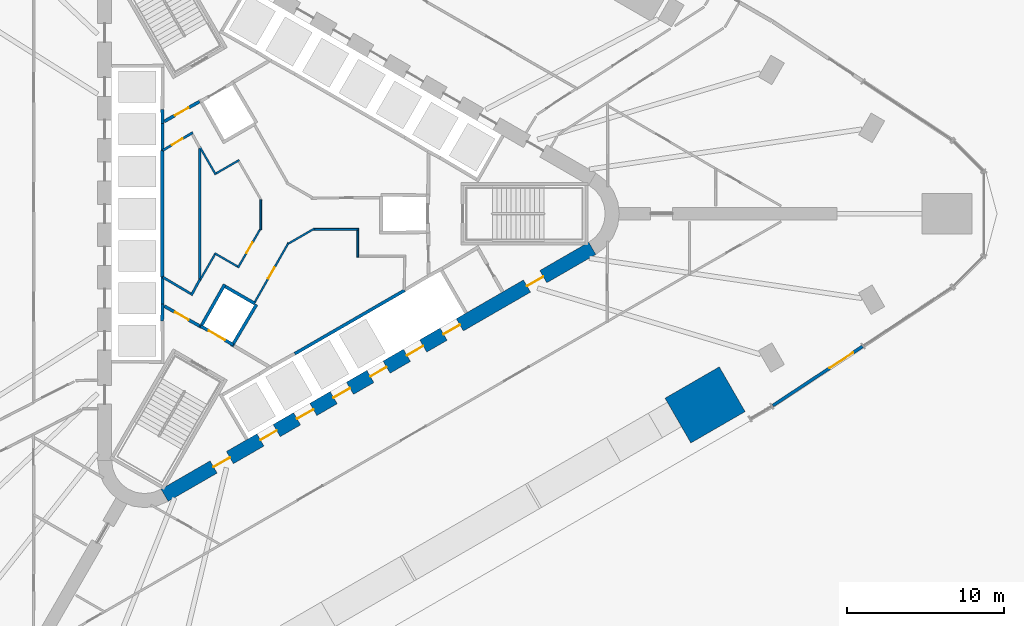
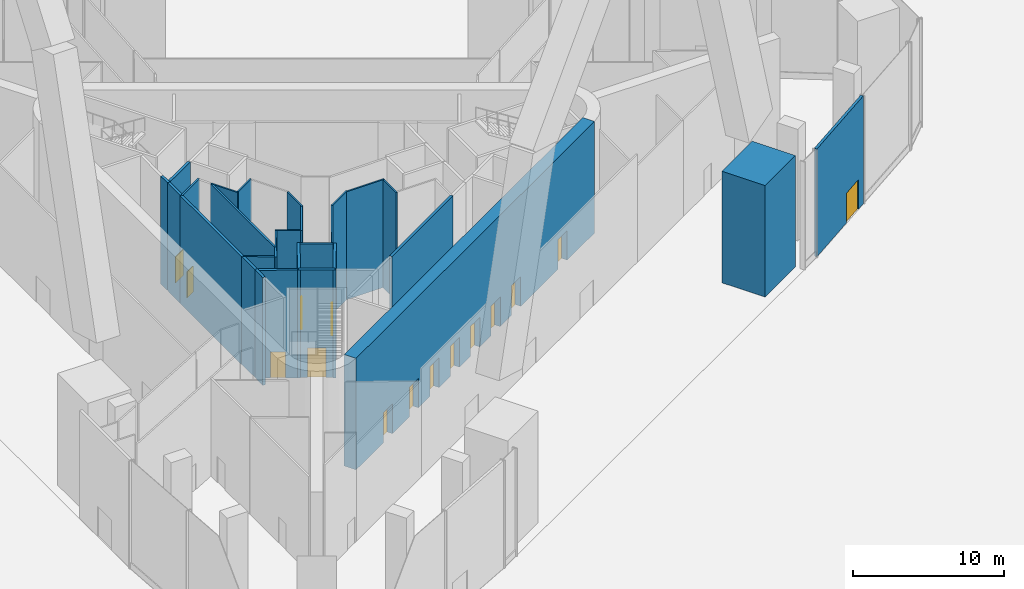
# One storey, part 15 of 22: 29 walls, 15 doors, 15 openings.
"""IFC4 building model written with IfcOpenShell, lengths in metres."""

from ifc_helpers import new_model, si_unit, direction, frame, frame_2d, origin, place, context, subcontext, project, spatial, polyline, rectangle, outline, extrude, material, layer, layer_set, type_object, element, fill, save


model = new_model("IFC4")

# Units and contexts
model_context = context("Model", 3, precision=1e-05, world=origin(), true_north=direction((0.0, 1.0)))
body_context = subcontext(model_context, "Body", "Model", "MODEL_VIEW")
ifc_project = project(units=[si_unit("LENGTHUNIT", "METRE"), si_unit("AREAUNIT", "SQUARE_METRE"), si_unit("VOLUMEUNIT", "CUBIC_METRE"), si_unit("PLANEANGLEUNIT", "RADIAN"), si_unit("MASSUNIT", "GRAM", prefix="KILO")], contexts=[model_context])

# Site, building, storey
site_placement = place(None, origin())
site = spatial("IfcSite", under=ifc_project, at=site_placement, CompositionType="ELEMENT")
building_placement = place(site_placement, origin())
building = spatial("IfcBuilding", under=site, at=building_placement, Name="Tanit Gate Tower", CompositionType="ELEMENT")
storey_placement = place(building_placement, origin())
storey = spatial("IfcBuildingStorey", under=building, at=storey_placement, Name="L00", CompositionType="ELEMENT", Elevation=0.0)

# Wall, openings, doors
ifc_material_1 = material(Name="Concrete C60/75", Category="concrete")
ifc_layer_1 = layer(ifc_material_1, 0.89990234375)
ifc_layer_set_1 = layer_set([ifc_layer_1], Name="CORE WALL 900 C60/75")
wall_type_1 = type_object("IfcWallType", Name="CORE WALL 900 C60/75", PredefinedType="SHEAR", material=ifc_layer_set_1)
wall_1_placement = place(storey_placement, frame((-7.824951171875, -17.969970703125, 0.0), z_axis=(0.0, 0.0, 1.0), x_axis=(0.866028369851, 0.499994862586, 0.0)))
wall_1 = element("IfcWall", 1, at=wall_1_placement, inside=storey, type_object=wall_type_1, Name="CORE WALL", PredefinedType="SHEAR", context=body_context, shape_type="SweptSolid", body=[
    extrude(rectangle(XDim=31.523193359375, YDim=0.89990234375, at=frame_2d((15.76171875, 0.0))), origin(), (0.0, 0.0, 1.0), 9.0),
])
opening_1_placement = place(wall_1_placement, frame((7.061767578125, 0.0, 0.0)))
opening_1 = element("IfcOpeningElement", 2, at=opening_1_placement, cuts=wall_1, Name="Opening LDSX1-00", PredefinedType="OPENING", context=body_context, shape_type="SweptSolid", body=[
    extrude(rectangle(XDim=1.199951171875, YDim=2.39990234375, at=frame_2d((0.60009765625, 1.199951171875))), frame((0.0, 0.4599609375, 0.0), z_axis=(0.0, -1.0, 0.0), x_axis=(1.0, 0.0, 0.0)), (0.0, 0.0, 1.0), 0.919921875),
])
opening_2_placement = place(wall_1_placement, frame((9.76171875, 0.0, 0.0)))
opening_2 = element("IfcOpeningElement", 3, at=opening_2_placement, cuts=wall_1, Name="Opening LDSX2-00", PredefinedType="OPENING", context=body_context, shape_type="SweptSolid", body=[
    extrude(rectangle(XDim=1.199951171875, YDim=2.39990234375, at=frame_2d((0.60009765625, 1.199951171875))), frame((0.0, 0.4599609375, 0.0), z_axis=(0.0, -1.0, 0.0), x_axis=(1.0, 0.0, 0.0)), (0.0, 0.0, 1.0), 0.919921875),
])
opening_3_placement = place(wall_1_placement, frame((12.461669921875, 0.0, 0.0)))
opening_3 = element("IfcOpeningElement", 4, at=opening_3_placement, cuts=wall_1, Name="Opening LDSX3-00", PredefinedType="OPENING", context=body_context, shape_type="SweptSolid", body=[
    extrude(rectangle(XDim=1.199951171875, YDim=2.39990234375, at=frame_2d((0.60009765625, 1.199951171875))), frame((0.0, 0.4599609375, 0.0), z_axis=(0.0, -1.0, 0.0), x_axis=(1.0, 0.0, 0.0)), (0.0, 0.0, 1.0), 0.919921875),
])
opening_4_placement = place(wall_1_placement, frame((15.16162109375, 0.0, 0.0)))
opening_4 = element("IfcOpeningElement", 5, at=opening_4_placement, cuts=wall_1, Name="Opening LDSX4-00", PredefinedType="OPENING", context=body_context, shape_type="SweptSolid", body=[
    extrude(rectangle(XDim=1.199951171875, YDim=2.39990234375, at=frame_2d((0.60009765625, 1.199951171875))), frame((0.0, 0.4599609375, 0.0), z_axis=(0.0, -1.0, 0.0), x_axis=(1.0, 0.0, 0.0)), (0.0, 0.0, 1.0), 0.919921875),
])
opening_5_placement = place(wall_1_placement, frame((17.861572265625, 0.0, 0.0)))
opening_5 = element("IfcOpeningElement", 6, at=opening_5_placement, cuts=wall_1, Name="Opening LDSV1-00", PredefinedType="OPENING", context=body_context, shape_type="SweptSolid", body=[
    extrude(rectangle(XDim=1.199951171875, YDim=2.39990234375, at=frame_2d((0.60009765625, 1.199951171875))), frame((0.0, 0.4599609375, 0.0), z_axis=(0.0, -1.0, 0.0), x_axis=(1.0, 0.0, 0.0)), (0.0, 0.0, 1.0), 0.919921875),
])
opening_6_placement = place(wall_1_placement, frame((20.561767578125, 0.0, 0.0)))
opening_6 = element("IfcOpeningElement", 7, at=opening_6_placement, cuts=wall_1, Name="Opening LDSV2-00", PredefinedType="OPENING", context=body_context, shape_type="SweptSolid", body=[
    extrude(rectangle(XDim=1.199951171875, YDim=2.39990234375, at=frame_2d((0.60009765625, 1.199951171875))), frame((0.0, 0.4599609375, 0.0), z_axis=(0.0, -1.0, 0.0), x_axis=(1.0, 0.0, 0.0)), (0.0, 0.0, 1.0), 0.919921875),
])
opening_7_placement = place(wall_1_placement, frame((26.711669921875, 0.0, 0.0)))
opening_7 = element("IfcOpeningElement", 8, at=opening_7_placement, cuts=wall_1, Name="Opening F12-00-S1", PredefinedType="OPENING", context=body_context, shape_type="SweptSolid", body=[
    extrude(rectangle(XDim=1.199951171875, YDim=2.39990234375, at=frame_2d((0.60009765625, 1.199951171875))), frame((0.0, 0.4599609375, 0.0), z_axis=(0.0, -1.0, 0.0), x_axis=(1.0, 0.0, 0.0)), (0.0, 0.0, 1.0), 0.919921875),
])
opening_8_placement = place(wall_1_placement, frame((3.611572265625, 0.0, 0.0)))
opening_8 = element("IfcOpeningElement", 9, at=opening_8_placement, cuts=wall_1, Name="Opening F12-00-FL3", PredefinedType="OPENING", context=body_context, shape_type="SweptSolid", body=[
    extrude(rectangle(XDim=1.199951171875, YDim=2.39990234375, at=frame_2d((0.60009765625, 1.199951171875))), frame((0.0, 0.4599609375, 0.0), z_axis=(0.0, -1.0, 0.0), x_axis=(1.0, 0.0, 0.0)), (0.0, 0.0, 1.0), 0.919921875),
])
ifc_material_2 = material(Name="Fire-rated steel door leaf", Category="steel")
door_type_1 = type_object("IfcDoorType", Name="INT-DOOR-FIRE-LOBBY-1200", OperationType="NOTDEFINED", PredefinedType="USERDEFINED", material=ifc_material_2)
door_1_placement = place(opening_7_placement, origin())
door_1 = element("IfcDoor", 10, at=door_1_placement, inside=storey, type_object=door_type_1, Name="Door F12-00-S1", ObjectType="FIRE DOOR", OperationType="SINGLE_SWING_RIGHT", OverallHeight=2.39990234375, OverallWidth=1.199951171875, PredefinedType="USERDEFINED", context=body_context, shape_type="SweptSolid", body=[
    extrude(rectangle(XDim=1.199951171875, YDim=2.39990234375, at=frame_2d((0.60009765625, 1.199951171875))), frame((0.0, 0.02490234375, 0.0), z_axis=(0.0, -1.0, 0.0), x_axis=(1.0, 0.0, 0.0)), (0.0, 0.0, 1.0), 0.050048828125),
])
fill(opening_7, door_1)
door_2_placement = place(opening_8_placement, origin())
door_2 = element("IfcDoor", 11, at=door_2_placement, inside=storey, type_object=door_type_1, Name="Door F12-00-FL3", ObjectType="FIRE DOOR", OperationType="SINGLE_SWING_RIGHT", OverallHeight=2.39990234375, OverallWidth=1.199951171875, PredefinedType="USERDEFINED", context=body_context, shape_type="SweptSolid", body=[
    extrude(rectangle(XDim=1.199951171875, YDim=2.39990234375, at=frame_2d((0.60009765625, 1.199951171875))), frame((0.0, 0.02490234375, 0.0), z_axis=(0.0, -1.0, 0.0), x_axis=(1.0, 0.0, 0.0)), (0.0, 0.0, 1.0), 0.050048828125),
])
fill(opening_8, door_2)
ifc_material_3 = material(Name="Stainless steel sliding door leaf", Category="steel")
door_type_2 = type_object("IfcDoorType", Name="INT-DOOR-LANDING-1200", OperationType="NOTDEFINED", PredefinedType="USERDEFINED", material=ifc_material_3)
door_3_placement = place(opening_1_placement, origin())
door_3 = element("IfcDoor", 12, at=door_3_placement, inside=storey, type_object=door_type_2, Name="Door LDSX1-00", ObjectType="LANDING DOOR", OperationType="SLIDING_TO_LEFT", OverallHeight=2.39990234375, OverallWidth=1.199951171875, PredefinedType="USERDEFINED", context=body_context, shape_type="SweptSolid", body=[
    extrude(rectangle(XDim=1.199951171875, YDim=2.39990234375, at=frame_2d((0.60009765625, 1.199951171875))), frame((0.0, 0.02490234375, 0.0), z_axis=(0.0, -1.0, 0.0), x_axis=(1.0, 0.0, 0.0)), (0.0, 0.0, 1.0), 0.050048828125),
])
fill(opening_1, door_3)
door_4_placement = place(opening_2_placement, origin())
door_4 = element("IfcDoor", 13, at=door_4_placement, inside=storey, type_object=door_type_2, Name="Door LDSX2-00", ObjectType="LANDING DOOR", OperationType="SLIDING_TO_LEFT", OverallHeight=2.39990234375, OverallWidth=1.199951171875, PredefinedType="USERDEFINED", context=body_context, shape_type="SweptSolid", body=[
    extrude(rectangle(XDim=1.199951171875, YDim=2.39990234375, at=frame_2d((0.60009765625, 1.199951171875))), frame((0.0, 0.02490234375, 0.0), z_axis=(0.0, -1.0, 0.0), x_axis=(1.0, 0.0, 0.0)), (0.0, 0.0, 1.0), 0.050048828125),
])
fill(opening_2, door_4)
door_5_placement = place(opening_3_placement, origin())
door_5 = element("IfcDoor", 14, at=door_5_placement, inside=storey, type_object=door_type_2, Name="Door LDSX3-00", ObjectType="LANDING DOOR", OperationType="SLIDING_TO_LEFT", OverallHeight=2.39990234375, OverallWidth=1.199951171875, PredefinedType="USERDEFINED", context=body_context, shape_type="SweptSolid", body=[
    extrude(rectangle(XDim=1.199951171875, YDim=2.39990234375, at=frame_2d((0.60009765625, 1.199951171875))), frame((0.0, 0.02490234375, 0.0), z_axis=(0.0, -1.0, 0.0), x_axis=(1.0, 0.0, 0.0)), (0.0, 0.0, 1.0), 0.050048828125),
])
fill(opening_3, door_5)
door_6_placement = place(opening_4_placement, origin())
door_6 = element("IfcDoor", 15, at=door_6_placement, inside=storey, type_object=door_type_2, Name="Door LDSX4-00", ObjectType="LANDING DOOR", OperationType="SLIDING_TO_LEFT", OverallHeight=2.39990234375, OverallWidth=1.199951171875, PredefinedType="USERDEFINED", context=body_context, shape_type="SweptSolid", body=[
    extrude(rectangle(XDim=1.199951171875, YDim=2.39990234375, at=frame_2d((0.60009765625, 1.199951171875))), frame((0.0, 0.02490234375, 0.0), z_axis=(0.0, -1.0, 0.0), x_axis=(1.0, 0.0, 0.0)), (0.0, 0.0, 1.0), 0.050048828125),
])
fill(opening_4, door_6)
door_7_placement = place(opening_5_placement, origin())
door_7 = element("IfcDoor", 16, at=door_7_placement, inside=storey, type_object=door_type_2, Name="Door LDSV1-00", ObjectType="LANDING DOOR", OperationType="SLIDING_TO_LEFT", OverallHeight=2.39990234375, OverallWidth=1.199951171875, PredefinedType="USERDEFINED", context=body_context, shape_type="SweptSolid", body=[
    extrude(rectangle(XDim=1.199951171875, YDim=2.39990234375, at=frame_2d((0.60009765625, 1.199951171875))), frame((0.0, 0.02490234375, 0.0), z_axis=(0.0, -1.0, 0.0), x_axis=(1.0, 0.0, 0.0)), (0.0, 0.0, 1.0), 0.050048828125),
])
fill(opening_5, door_7)
door_8_placement = place(opening_6_placement, origin())
door_8 = element("IfcDoor", 17, at=door_8_placement, inside=storey, type_object=door_type_2, Name="Door LDSV2-00", ObjectType="LANDING DOOR", OperationType="SLIDING_TO_LEFT", OverallHeight=2.39990234375, OverallWidth=1.199951171875, PredefinedType="USERDEFINED", context=body_context, shape_type="SweptSolid", body=[
    extrude(rectangle(XDim=1.199951171875, YDim=2.39990234375, at=frame_2d((0.60009765625, 1.199951171875))), frame((0.0, 0.02490234375, 0.0), z_axis=(0.0, -1.0, 0.0), x_axis=(1.0, 0.0, 0.0)), (0.0, 0.0, 1.0), 0.050048828125),
])
fill(opening_6, door_8)

# Wall, opening, door
ifc_material_4 = material(Name="Concrete C30/37 rendered", Category="concrete")
ifc_layer_2 = layer(ifc_material_4, 0.199951171875)
ifc_layer_set_2 = layer_set([ifc_layer_2], Name="Facade wall 200 rendered")
wall_type_2 = type_object("IfcWallType", Name="Facade wall 200 rendered", PredefinedType="SOLIDWALL", material=ifc_layer_set_2)
wall_2_placement = place(storey_placement, frame((31.000732421875, -12.24462890625, 0.0), z_axis=(0.0, 0.0, 1.0), x_axis=(0.834690542868, 0.550719254836, 0.0)))
wall_2 = element("IfcWall", 18, at=wall_2_placement, inside=storey, type_object=wall_type_2, Name="Facade wall L00 SE3.1", PredefinedType="SOLIDWALL", context=body_context, shape_type="SweptSolid", body=[
    extrude(rectangle(XDim=6.860595703125, YDim=0.199951171875, at=frame_2d((3.43017578125, 0.0))), origin(), (0.0, 0.0, 1.0), 8.699951171875),
])
opening_9_placement = place(wall_2_placement, frame((4.34033203125, 0.0, 0.0)))
opening_9 = element("IfcOpeningElement", 19, at=opening_9_placement, cuts=wall_2, Name="Opening D1", PredefinedType="OPENING", context=body_context, shape_type="SweptSolid", body=[
    extrude(rectangle(XDim=1.800048828125, YDim=2.39990234375, at=frame_2d((0.89990234375, 1.199951171875))), frame((0.0, 0.10986328125, 0.0), z_axis=(0.0, -1.0, 0.0), x_axis=(1.0, 0.0, 0.0)), (0.0, 0.0, 1.0), 0.219970703125),
])
ifc_material_5 = material(Name="Aluminium bronze anodised and glass", Category="aluminium")
door_type_3 = type_object("IfcDoorType", Name="Entrance door double 1800x2400", OperationType="DOUBLE_DOOR_SINGLE_SWING", PredefinedType="DOOR", material=ifc_material_5)
door_9_placement = place(opening_9_placement, frame((1.800048828125, 0.0, 0.0), z_axis=(0.0, 0.0, 1.0), x_axis=(-1.0, 0.0, 0.0)))
door_9 = element("IfcDoor", 20, at=door_9_placement, inside=storey, type_object=door_type_3, Name="Exit door", OperationType="SINGLE_SWING_RIGHT", OverallHeight=2.39990234375, OverallWidth=1.800048828125, PredefinedType="DOOR", context=body_context, shape_type="SweptSolid", body=[
    extrude(rectangle(XDim=1.800048828125, YDim=2.39990234375, at=frame_2d((0.89990234375, 1.199951171875))), frame((0.0, 0.02490234375, 0.0), z_axis=(0.0, -1.0, 0.0), x_axis=(1.0, 0.0, 0.0)), (0.0, 0.0, 1.0), 0.050048828125),
])
fill(opening_9, door_9)

ifc_material_6 = material(Name="Fire-rated gypsum board partition")
ifc_layer_3 = layer(ifc_material_6, 0.199951171875)
ifc_layer_set_3 = layer_set([ifc_layer_3], Name="INT-WALL-COMPARTMENT")
wall_type_3 = type_object("IfcWallType", Name="INT-WALL-COMPARTMENT", PredefinedType="PARTITIONING", material=ifc_layer_set_3)
wall_3_placement = place(storey_placement, frame((-5.600341796875, 7.16015625, 0.0), z_axis=(0.0, 0.0, 1.0), x_axis=(-0.871363259478, -0.490638431059, 0.0)))
wall_3 = element("IfcWall", 21, at=wall_3_placement, inside=storey, type_object=wall_type_3, Name="Wall Compartment W062", PredefinedType="PARTITIONING", context=body_context, shape_type="SweptSolid", body=[
    extrude(rectangle(XDim=2.5810546875, YDim=0.199951171875, at=frame_2d((1.29052734375, 0.0))), origin(), (0.0, 0.0, 1.0), 8.699951171875),
])
opening_10_placement = place(wall_3_placement, frame((0.79052734375, 0.0, 0.0)))
opening_10 = element("IfcOpeningElement", 22, at=opening_10_placement, cuts=wall_3, Name="Opening F10-00-05", PredefinedType="OPENING", context=body_context, shape_type="SweptSolid", body=[
    extrude(rectangle(XDim=1.0, YDim=2.10009765625, at=frame_2d((0.5, 1.050048828125))), frame((0.0, 0.10986328125, 0.0), z_axis=(0.0, -1.0, 0.0), x_axis=(1.0, 0.0, 0.0)), (0.0, 0.0, 1.0), 0.219970703125),
])
ifc_material_7 = material(Name="Fire-rated steel door leaf", Category="steel")
door_type_4 = type_object("IfcDoorType", Name="INT-DOOR-FIRE-1000", OperationType="NOTDEFINED", PredefinedType="USERDEFINED", material=ifc_material_7)
door_10_placement = place(opening_10_placement, origin())
door_10 = element("IfcDoor", 23, at=door_10_placement, inside=storey, type_object=door_type_4, Name="Door F10-00-05", ObjectType="FIRE DOOR", OperationType="SINGLE_SWING_LEFT", OverallHeight=2.10009765625, OverallWidth=1.0, PredefinedType="USERDEFINED", context=body_context, shape_type="SweptSolid", body=[
    extrude(rectangle(XDim=1.0, YDim=2.10009765625, at=frame_2d((0.5, 1.050048828125))), frame((0.0, 0.02490234375, 0.0), z_axis=(0.0, -1.0, 0.0), x_axis=(1.0, 0.0, 0.0)), (0.0, 0.0, 1.0), 0.050048828125),
])
fill(opening_10, door_10)

wall_4_placement = place(storey_placement, frame((-7.849365234375, -5.893798828125, 0.0), z_axis=(0.0, 0.0, 1.0), x_axis=(0.871363259478, -0.490638431059, 0.0)))
wall_4 = element("IfcWall", 24, at=wall_4_placement, inside=storey, type_object=wall_type_3, Name="Wall Compartment W064", PredefinedType="PARTITIONING", context=body_context, shape_type="SweptSolid", body=[
    extrude(rectangle(XDim=2.5810546875, YDim=0.199951171875, at=frame_2d((1.29052734375, 0.0))), origin(), (0.0, 0.0, 1.0), 8.699951171875),
])
opening_11_placement = place(wall_4_placement, frame((0.79052734375, 0.0, 0.0)))
opening_11 = element("IfcOpeningElement", 25, at=opening_11_placement, cuts=wall_4, Name="Opening F10-00-08", PredefinedType="OPENING", context=body_context, shape_type="SweptSolid", body=[
    extrude(rectangle(XDim=1.0, YDim=2.10009765625, at=frame_2d((0.5, 1.050048828125))), frame((0.0, 0.10986328125, 0.0), z_axis=(0.0, -1.0, 0.0), x_axis=(1.0, 0.0, 0.0)), (0.0, 0.0, 1.0), 0.219970703125),
])
door_11_placement = place(opening_11_placement, origin())
door_11 = element("IfcDoor", 26, at=door_11_placement, inside=storey, type_object=door_type_4, Name="Door F10-00-08", ObjectType="FIRE DOOR", OperationType="SINGLE_SWING_RIGHT", OverallHeight=2.10009765625, OverallWidth=1.0, PredefinedType="USERDEFINED", context=body_context, shape_type="SweptSolid", body=[
    extrude(rectangle(XDim=1.0, YDim=2.10009765625, at=frame_2d((0.5, 1.050048828125))), frame((0.0, 0.02490234375, 0.0), z_axis=(0.0, -1.0, 0.0), x_axis=(1.0, 0.0, 0.0)), (0.0, 0.0, 1.0), 0.050048828125),
])
fill(opening_11, door_11)

ifc_material_8 = material(Name="Gypsum board partition")
ifc_layer_4 = layer(ifc_material_8, 0.1201171875)
ifc_layer_set_4 = layer_set([ifc_layer_4], Name="INT-WALL-PARTITION")
wall_type_4 = type_object("IfcWallType", Name="INT-WALL-PARTITION", PredefinedType="PARTITIONING", material=ifc_layer_set_4)
wall_5_placement = place(storey_placement, frame((0.09375, -1.8359375, 0.0), z_axis=(0.0, 0.0, 1.0), x_axis=(-0.494097972448, -0.869406230495, 0.0)))
wall_5 = element("IfcWall", 27, at=wall_5_placement, inside=storey, type_object=wall_type_4, Name="Wall Partition W068", PredefinedType="PARTITIONING", context=body_context, shape_type="SweptSolid", body=[
    extrude(rectangle(XDim=4.357177734375, YDim=0.1201171875, at=frame_2d((2.1787109375, 0.0))), origin(), (0.0, 0.0, 1.0), 8.699951171875),
])
opening_12_placement = place(wall_5_placement, frame((1.82958984375, 0.0, 0.0)))
opening_12 = element("IfcOpeningElement", 28, at=opening_12_placement, cuts=wall_5, Name="Opening R08-00-11", PredefinedType="OPENING", context=body_context, shape_type="SweptSolid", body=[
    extrude(rectangle(XDim=0.800048828125, YDim=2.10009765625, at=frame_2d((0.39990234375, 1.050048828125))), frame((0.0, 0.070068359375, 0.0), z_axis=(0.0, -1.0, 0.0), x_axis=(1.0, 0.0, 0.0)), (0.0, 0.0, 1.0), 0.14013671875),
])
ifc_material_9 = material(Name="Timber door leaf", Category="wood")
door_type_5 = type_object("IfcDoorType", Name="INT-DOOR-RISER-800", OperationType="NOTDEFINED", PredefinedType="USERDEFINED", material=ifc_material_9)
door_12_placement = place(opening_12_placement, origin())
door_12 = element("IfcDoor", 29, at=door_12_placement, inside=storey, type_object=door_type_5, Name="Door R08-00-11", ObjectType="FIRE DOOR", OperationType="SINGLE_SWING_LEFT", OverallHeight=2.10009765625, OverallWidth=0.800048828125, PredefinedType="USERDEFINED", context=body_context, shape_type="SweptSolid", body=[
    extrude(rectangle(XDim=0.800048828125, YDim=2.10009765625, at=frame_2d((0.39990234375, 1.050048828125))), frame((0.0, 0.02490234375, 0.0), z_axis=(0.0, -1.0, 0.0), x_axis=(1.0, 0.0, 0.0)), (0.0, 0.0, 1.0), 0.050048828125),
])
fill(opening_12, door_12)

# Walls
wall_6_placement = place(storey_placement, frame((1.7353515625, -0.947998046875, 0.0), z_axis=(0.0, 0.0, 1.0), x_axis=(-0.866021702275, -0.500006411147, 0.0)))
element("IfcWall", 30, at=wall_6_placement, inside=storey, type_object=wall_type_4, Name="Wall Partition W069", PredefinedType="PARTITIONING", context=body_context, shape_type="SweptSolid", body=[
    extrude(rectangle(XDim=1.93505859375, YDim=0.1201171875, at=frame_2d((0.967529296875, 0.0))), origin(), (0.0, 0.0, 1.0), 8.699951171875),
])
wall_7_placement = place(storey_placement, frame((4.56005859375, -1.0, 0.0), z_axis=(0.0, 0.0, 1.0), x_axis=(-1.0, 0.0, 0.0)))
element("IfcWall", 31, at=wall_7_placement, inside=storey, type_object=wall_type_4, Name="Wall Partition W070", PredefinedType="PARTITIONING", context=body_context, shape_type="SweptSolid", body=[
    extrude(rectangle(XDim=2.89599609375, YDim=0.1201171875, at=frame_2d((1.447998046875, 0.0))), origin(), (0.0, 0.0, 1.0), 8.699951171875),
])
wall_8_placement = place(storey_placement, frame((4.5, -2.760009765625, 0.0), z_axis=(0.0, 0.0, 1.0), x_axis=(0.0, 1.0, 0.0)))
element("IfcWall", 32, at=wall_8_placement, inside=storey, type_object=wall_type_4, Name="Wall Partition W071", PredefinedType="PARTITIONING", context=body_context, shape_type="SweptSolid", body=[
    extrude(rectangle(XDim=1.699951171875, YDim=0.1201171875, at=frame_2d((0.85009765625, 0.0))), origin(), (0.0, 0.0, 1.0), 8.699951171875),
])
wall_9_placement = place(storey_placement, frame((-4.558349609375, 2.4951171875, 0.0), z_axis=(0.0, 0.0, 1.0), x_axis=(-0.499990325971, 0.866030989016, 0.0)))
element("IfcWall", 33, at=wall_9_placement, inside=storey, type_object=wall_type_4, Name="Wall Partition W079", PredefinedType="PARTITIONING", context=body_context, shape_type="SweptSolid", body=[
    extrude(rectangle(XDim=2.02490234375, YDim=0.1201171875, at=frame_2d((1.012451171875, 0.0))), origin(), (0.0, 0.0, 1.0), 8.699951171875),
])
wall_10_placement = place(storey_placement, frame((-3.06396484375, 3.427001953125, 0.0), z_axis=(0.0, 0.0, 1.0), x_axis=(-0.866087547558, -0.499892348375, 0.0)))
element("IfcWall", 34, at=wall_10_placement, inside=storey, type_object=wall_type_4, Name="Wall Partition W080", PredefinedType="PARTITIONING", context=body_context, shape_type="SweptSolid", body=[
    extrude(rectangle(XDim=1.699951171875, YDim=0.1201171875, at=frame_2d((0.85009765625, 0.0))), origin(), (0.0, 0.0, 1.0), 8.699951171875),
])
wall_11_placement = place(storey_placement, frame((-1.688720703125, -1.02880859375, 0.0), z_axis=(0.0, 0.0, 1.0), x_axis=(0.0, 1.0, 0.0)))
element("IfcWall", 35, at=wall_11_placement, inside=storey, type_object=wall_type_4, Name="Wall Partition W082", PredefinedType="PARTITIONING", context=body_context, shape_type="SweptSolid", body=[
    extrude(rectangle(XDim=1.935302734375, YDim=0.1201171875, at=frame_2d((0.9677734375, 0.0))), origin(), (0.0, 0.0, 1.0), 8.699951171875),
])

# Wall, opening, door
wall_12_placement = place(storey_placement, frame((-3.14599609375, -3.448974609375, 0.0), z_axis=(0.0, 0.0, 1.0), x_axis=(0.500028961621, 0.866008682139, 0.0)))
wall_12 = element("IfcWall", 36, at=wall_12_placement, inside=storey, type_object=wall_type_4, Name="Wall Partition W083", PredefinedType="PARTITIONING", context=body_context, shape_type="SweptSolid", body=[
    extrude(rectangle(XDim=2.895751953125, YDim=0.1201171875, at=frame_2d((1.44775390625, 0.0))), origin(), (0.0, 0.0, 1.0), 8.699951171875),
])
opening_13_placement = place(wall_12_placement, frame((1.077880859375, 0.0, 0.0)))
opening_13 = element("IfcOpeningElement", 37, at=opening_13_placement, cuts=wall_12, Name="Opening R08-00-13", PredefinedType="OPENING", context=body_context, shape_type="SweptSolid", body=[
    extrude(rectangle(XDim=0.800048828125, YDim=2.10009765625, at=frame_2d((0.39990234375, 1.050048828125))), frame((0.0, 0.070068359375, 0.0), z_axis=(0.0, -1.0, 0.0), x_axis=(1.0, 0.0, 0.0)), (0.0, 0.0, 1.0), 0.14013671875),
])
door_13_placement = place(opening_13_placement, origin())
door_13 = element("IfcDoor", 38, at=door_13_placement, inside=storey, type_object=door_type_5, Name="Door R08-00-13", ObjectType="FIRE DOOR", OperationType="SINGLE_SWING_RIGHT", OverallHeight=2.10009765625, OverallWidth=0.800048828125, PredefinedType="USERDEFINED", context=body_context, shape_type="SweptSolid", body=[
    extrude(rectangle(XDim=0.800048828125, YDim=2.10009765625, at=frame_2d((0.39990234375, 1.050048828125))), frame((0.0, 0.02490234375, 0.0), z_axis=(0.0, -1.0, 0.0), x_axis=(1.0, 0.0, 0.0)), (0.0, 0.0, 1.0), 0.050048828125),
])
fill(opening_13, door_13)

# Walls
wall_13_placement = place(storey_placement, frame((-4.64013671875, -2.51708984375, 0.0), z_axis=(0.0, 0.0, 1.0), x_axis=(0.865989465428, -0.500062241894, 0.0)))
element("IfcWall", 39, at=wall_13_placement, inside=storey, type_object=wall_type_4, Name="Wall Partition W084", PredefinedType="PARTITIONING", context=body_context, shape_type="SweptSolid", body=[
    extrude(rectangle(XDim=1.699951171875, YDim=0.1201171875, at=frame_2d((0.85009765625, 0.0))), origin(), (0.0, 0.0, 1.0), 8.699951171875),
])
wall_14_placement = place(storey_placement, frame((-5.57080078125, -4.248779296875, 0.0), z_axis=(0.0, 0.0, 1.0), x_axis=(0.500081145431, 0.865978549379, 0.0)))
element("IfcWall", 40, at=wall_14_placement, inside=storey, type_object=wall_type_4, Name="Wall Partition W085", PredefinedType="PARTITIONING", context=body_context, shape_type="SweptSolid", body=[
    extrude(rectangle(XDim=1.905029296875, YDim=0.1201171875, at=frame_2d((0.95263671875, 0.0))), origin(), (0.0, 0.0, 1.0), 8.699951171875),
])
ifc_material_10 = material(Name="Fire-rated gypsum board partition")
ifc_layer_5 = layer(ifc_material_10, 0.14990234375)
ifc_layer_set_5 = layer_set([ifc_layer_5], Name="INT-WALL-RISER")
wall_type_5 = type_object("IfcWallType", Name="INT-WALL-RISER", PredefinedType="PLUMBINGWALL", material=ifc_layer_set_5)
wall_15_placement = place(storey_placement, frame((-5.585693359375, -4.274658203125, 0.0), z_axis=(0.0, 0.0, 1.0), x_axis=(0.0, 1.0, 0.0)))
element("IfcWall", 41, at=wall_15_placement, inside=storey, type_object=wall_type_5, Name="Wall Riser W074", PredefinedType="PLUMBINGWALL", context=body_context, shape_type="SweptSolid", body=[
    extrude(rectangle(XDim=8.54931640625, YDim=0.14990234375, at=frame_2d((4.274658203125, 0.0))), origin(), (0.0, 0.0, 1.0), 8.699951171875),
])
wall_16_placement = place(storey_placement, frame((-6.1240234375, -5.211181640625, 0.0), z_axis=(0.0, 0.0, 1.0), x_axis=(0.476228984866, 0.879321303036, 0.0)))
element("IfcWall", 42, at=wall_16_placement, inside=storey, type_object=wall_type_5, Name="Wall Riser W075", PredefinedType="PLUMBINGWALL", context=body_context, shape_type="SweptSolid", body=[
    extrude(rectangle(XDim=1.16162109375, YDim=0.14990234375, at=frame_2d((0.580810546875, 0.0))), origin(), (0.0, 0.0, 1.0), 8.699951171875),
])
wall_17_placement = place(storey_placement, frame((-7.949951171875, -4.041015625, 0.0), z_axis=(0.0, 0.0, 1.0), x_axis=(0.860090281069, -0.510141851263, 0.0)))
element("IfcWall", 43, at=wall_17_placement, inside=storey, type_object=wall_type_5, Name="Wall Riser W076", PredefinedType="PLUMBINGWALL", context=body_context, shape_type="SweptSolid", body=[
    extrude(rectangle(XDim=2.08935546875, YDim=0.14990234375, at=frame_2d((1.044677734375, 0.0))), origin(), (0.0, 0.0, 1.0), 8.699951171875),
])

# Wall, opening, door
wall_18_placement = place(storey_placement, frame((-6.023681640625, 5.183349609375, 0.0), z_axis=(0.0, 0.0, 1.0), x_axis=(-0.860126804455, -0.510080268447, 0.0)))
wall_18 = element("IfcWall", 44, at=wall_18_placement, inside=storey, type_object=wall_type_5, Name="Wall Riser W077", PredefinedType="PLUMBINGWALL", context=body_context, shape_type="SweptSolid", body=[
    extrude(rectangle(XDim=2.239501953125, YDim=0.14990234375, at=frame_2d((1.11962890625, 0.0))), origin(), (0.0, 0.0, 1.0), 8.699951171875),
])
opening_14_placement = place(wall_18_placement, frame((0.75732421875, 0.0, 0.0)))
opening_14 = element("IfcOpeningElement", 45, at=opening_14_placement, cuts=wall_18, Name="Opening R08-00-12", PredefinedType="OPENING", context=body_context, shape_type="SweptSolid", body=[
    extrude(rectangle(XDim=0.800048828125, YDim=2.10009765625, at=frame_2d((0.39990234375, 1.050048828125))), frame((0.0, 0.0849609375, 0.0), z_axis=(0.0, -1.0, 0.0), x_axis=(1.0, 0.0, 0.0)), (0.0, 0.0, 1.0), 0.169921875),
])
door_14_placement = place(opening_14_placement, origin())
door_14 = element("IfcDoor", 46, at=door_14_placement, inside=storey, type_object=door_type_5, Name="Door R08-00-12", ObjectType="FIRE DOOR", OperationType="SINGLE_SWING_RIGHT", OverallHeight=2.10009765625, OverallWidth=0.800048828125, PredefinedType="USERDEFINED", context=body_context, shape_type="SweptSolid", body=[
    extrude(rectangle(XDim=0.800048828125, YDim=2.10009765625, at=frame_2d((0.39990234375, 1.050048828125))), frame((0.0, 0.02490234375, 0.0), z_axis=(0.0, -1.0, 0.0), x_axis=(1.0, 0.0, 0.0)), (0.0, 0.0, 1.0), 0.050048828125),
])
fill(opening_14, door_14)

# Walls
ifc_material_11 = material(Name="Gypsum shaft wall system")
ifc_layer_6 = layer(ifc_material_11, 0.199951171875)
ifc_layer_set_6 = layer_set([ifc_layer_6], Name="INT-WALL-SHAFT")
wall_type_6 = type_object("IfcWallType", Name="INT-WALL-SHAFT", PredefinedType="PLUMBINGWALL", material=ifc_layer_set_6)
wall_19_placement = place(storey_placement, frame((-7.97705078125, 6.650146484375, 0.0), z_axis=(0.0, 0.0, 1.0), x_axis=(0.030861509705, -0.999523670164, 0.0)))
element("IfcWall", 47, at=wall_19_placement, inside=storey, type_object=wall_type_6, Name="Wall Shaft W004", PredefinedType="PLUMBINGWALL", context=body_context, shape_type="SweptSolid", body=[
    extrude(rectangle(XDim=0.878173828125, YDim=0.199951171875, at=frame_2d((0.43896484375, 0.0))), origin(), (0.0, 0.0, 1.0), 8.699951171875),
])
wall_20_placement = place(storey_placement, frame((-7.94921875, 5.894775390625, 0.0), z_axis=(0.0, 0.0, 1.0), x_axis=(-0.012042535896, -0.999927486035, 0.0)))
element("IfcWall", 48, at=wall_20_placement, inside=storey, type_object=wall_type_6, Name="Wall Shaft W005", PredefinedType="PLUMBINGWALL", context=body_context, shape_type="SweptSolid", body=[
    extrude(rectangle(XDim=1.844970703125, YDim=0.199951171875, at=frame_2d((0.92236328125, 0.0))), origin(), (0.0, 0.0, 1.0), 8.699951171875),
])
wall_21_placement = place(storey_placement, frame((-7.97998046875, 4.050048828125, 0.0), z_axis=(0.0, 0.0, 1.0), x_axis=(0.0, -1.0, 0.0)))
element("IfcWall", 49, at=wall_21_placement, inside=storey, type_object=wall_type_6, Name="Wall Shaft W006", PredefinedType="PLUMBINGWALL", context=body_context, shape_type="SweptSolid", body=[
    extrude(rectangle(XDim=8.10009765625, YDim=0.199951171875, at=frame_2d((4.050048828125, 0.0))), origin(), (0.0, 0.0, 1.0), 8.699951171875),
])
wall_22_placement = place(storey_placement, frame((-7.949951171875, -5.7724609375, 0.0), z_axis=(0.0, 0.0, 1.0), x_axis=(-0.030803413295, -0.999525462272, 0.0)))
element("IfcWall", 50, at=wall_22_placement, inside=storey, type_object=wall_type_6, Name="Wall Shaft W009", PredefinedType="PLUMBINGWALL", context=body_context, shape_type="SweptSolid", body=[
    extrude(rectangle(XDim=1.077880859375, YDim=0.199951171875, at=frame_2d((0.5390625, 0.0))), origin(), (0.0, 0.0, 1.0), 8.699951171875),
])
wall_23_placement = place(storey_placement, frame((-7.971435546875, -4.050048828125, 0.0), z_axis=(0.0, 0.0, 1.0), x_axis=(0.012042535896, -0.999927486035, 0.0)))
element("IfcWall", 51, at=wall_23_placement, inside=storey, type_object=wall_type_6, Name="Wall Shaft W010", PredefinedType="PLUMBINGWALL", context=body_context, shape_type="SweptSolid", body=[
    extrude(rectangle(XDim=1.844970703125, YDim=0.199951171875, at=frame_2d((0.92236328125, 0.0))), origin(), (0.0, 0.0, 1.0), 8.699951171875),
])
wall_24_placement = place(storey_placement, frame((0.482666015625, -8.935791015625, 0.0), z_axis=(0.0, 0.0, 1.0), x_axis=(0.866030989016, 0.499990325971, 0.0)))
element("IfcWall", 52, at=wall_24_placement, inside=storey, type_object=wall_type_6, Name="Wall Shaft W031", PredefinedType="PLUMBINGWALL", context=body_context, shape_type="SweptSolid", body=[
    extrude(rectangle(XDim=8.099853515625, YDim=0.199951171875, at=frame_2d((4.0498046875, 0.0))), origin(), (0.0, 0.0, 1.0), 8.699951171875),
])

# Wall, opening, door
wall_25_placement = place(storey_placement, frame((-3.44580078125, -8.3681640625, 0.0), z_axis=(0.0, 0.0, 1.0), x_axis=(-0.866024647952, 0.500001309137, 0.0)))
wall_25 = element("IfcWall", 53, at=wall_25_placement, inside=storey, type_object=wall_type_6, Name="Wall Shaft W053", PredefinedType="PLUMBINGWALL", context=body_context, shape_type="SweptSolid", body=[
    extrude(rectangle(XDim=2.39990234375, YDim=0.199951171875, at=frame_2d((1.199951171875, 0.0))), origin(), (0.0, 0.0, 1.0), 8.699951171875),
])
opening_15_placement = place(wall_25_placement, frame((0.60009765625, 0.0, 0.0)))
opening_15 = element("IfcOpeningElement", 54, at=opening_15_placement, cuts=wall_25, Name="Opening LDFL3-L00", PredefinedType="OPENING", context=body_context, shape_type="SweptSolid", body=[
    extrude(rectangle(XDim=1.199951171875, YDim=2.39990234375, at=frame_2d((0.60009765625, 1.199951171875))), frame((0.0, 0.10986328125, 0.0), z_axis=(0.0, -1.0, 0.0), x_axis=(1.0, 0.0, 0.0)), (0.0, 0.0, 1.0), 0.219970703125),
])
door_15_placement = place(opening_15_placement, origin())
door_15 = element("IfcDoor", 55, at=door_15_placement, inside=storey, type_object=door_type_2, Name="Door LDFL3-L00", ObjectType="LANDING DOOR", OperationType="SLIDING_TO_LEFT", OverallHeight=2.39990234375, OverallWidth=1.199951171875, PredefinedType="USERDEFINED", context=body_context, shape_type="SweptSolid", body=[
    extrude(rectangle(XDim=1.199951171875, YDim=2.39990234375, at=frame_2d((0.60009765625, 1.199951171875))), frame((0.0, 0.02490234375, 0.0), z_axis=(0.0, -1.0, 0.0), x_axis=(1.0, 0.0, 0.0)), (0.0, 0.0, 1.0), 0.050048828125),
])
fill(opening_15, door_15)

# Walls
wall_26_placement = place(storey_placement, frame((-1.960693359375, -5.796142578125, 0.0), z_axis=(0.0, 0.0, 1.0), x_axis=(-0.508647062354, -0.860975125052, 0.0)))
element("IfcWall", 56, at=wall_26_placement, inside=storey, type_object=wall_type_6, Name="Wall Shaft W054", PredefinedType="PLUMBINGWALL", context=body_context, shape_type="SweptSolid", body=[
    extrude(rectangle(XDim=3.10009765625, YDim=0.199951171875, at=frame_2d((1.550048828125, 0.0))), origin(), (0.0, 0.0, 1.0), 8.699951171875),
])
wall_27_placement = place(storey_placement, frame((-3.989990234375, -4.509033203125, 0.0), z_axis=(0.0, 0.0, 1.0), x_axis=(-0.491358283181, -0.870957540612, 0.0)))
element("IfcWall", 57, at=wall_27_placement, inside=storey, type_object=wall_type_6, Name="Wall Shaft W055", PredefinedType="PLUMBINGWALL", context=body_context, shape_type="SweptSolid", body=[
    extrude(rectangle(XDim=3.200439453125, YDim=0.199951171875, at=frame_2d((1.60009765625, 0.0))), origin(), (0.0, 0.0, 1.0), 8.699951171875),
])
wall_28_placement = place(storey_placement, frame((-3.95263671875, -4.646240234375, 0.0), z_axis=(0.0, 0.0, 1.0), x_axis=(0.866038900241, -0.499976622722, 0.0)))
element("IfcWall", 58, at=wall_28_placement, inside=storey, type_object=wall_type_6, Name="Wall Shaft W056", PredefinedType="PLUMBINGWALL", context=body_context, shape_type="SweptSolid", body=[
    extrude(rectangle(XDim=2.189453125, YDim=0.199951171875, at=frame_2d((1.0947265625, 0.0))), origin(), (0.0, 0.0, 1.0), 8.699951171875),
])
ifc_material_12 = material(Name="Concrete C60/75", Category="concrete")
ifc_layer_7 = layer(ifc_material_12, 4.0)
ifc_layer_set_7 = layer_set([ifc_layer_7], Name="PIER WALL 4000 C60/75")
wall_type_7 = type_object("IfcWallType", Name="PIER WALL 4000 C60/75", PredefinedType="SHEAR", material=ifc_layer_set_7)
wall_29_placement = place(storey_placement, origin())
element("IfcWall", 59, at=wall_29_placement, inside=storey, type_object=wall_type_7, Name="PIER WALL", PredefinedType="SHEAR", context=body_context, shape_type="SweptSolid", body=[
    extrude(outline(polyline([(25.76708984375, -14.6298828125), (29.231201171875, -12.6298828125), (27.581298828125, -9.77197265625), (24.1171875, -11.77197265625), (25.76708984375, -14.6298828125)])), origin(), (0.0, 0.0, 1.0), 9.0),
])

save(model, "model.ifc")
